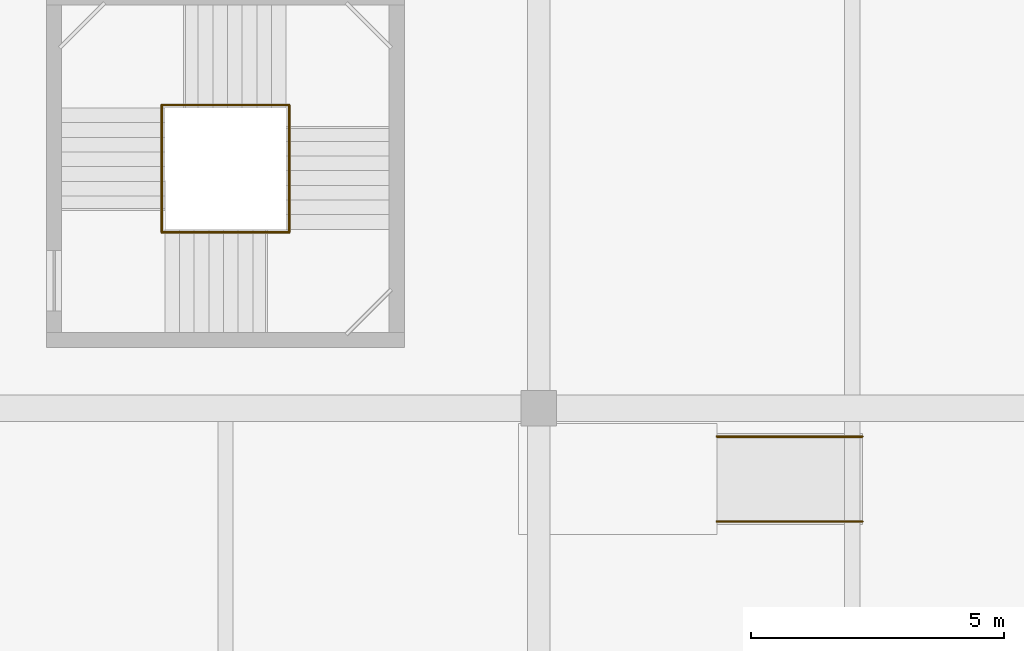
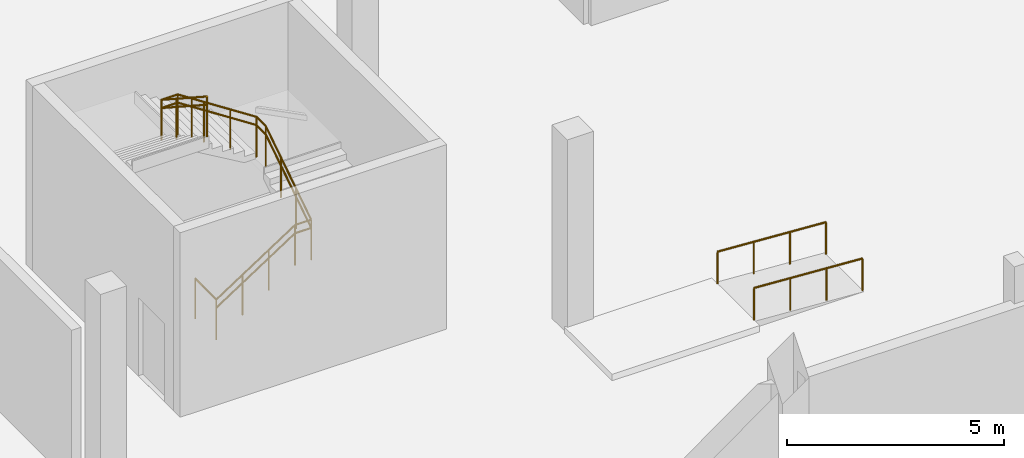
# One storey, part 49 of 50: 5 railings.
"""IFC4 building model written with IfcOpenShell, lengths in metres."""

from ifc_helpers import new_model, si_unit, direction, frame, origin, origin_2d, place, context, subcontext, project, spatial, circle, extrude, material, type_object, element, save


model = new_model("IFC4")

# Units and contexts
model_context = context("Model", 3, precision=1e-05, world=origin(), true_north=direction((0.0, 1.0)))
body_context = subcontext(model_context, "Body", "Model", "MODEL_VIEW")
ifc_project = project(units=[si_unit("LENGTHUNIT", "METRE"), si_unit("AREAUNIT", "SQUARE_METRE"), si_unit("VOLUMEUNIT", "CUBIC_METRE"), si_unit("PLANEANGLEUNIT", "RADIAN"), si_unit("MASSUNIT", "GRAM", prefix="KILO")], contexts=[model_context])

# Site, building, storey
site_placement = place(None, origin())
site = spatial("IfcSite", under=ifc_project, at=site_placement, CompositionType="ELEMENT")
building_placement = place(site_placement, origin())
building = spatial("IfcBuilding", under=site, at=building_placement, Name="Sillaruma Civic Art Gallery", CompositionType="ELEMENT")
storey_placement = place(building_placement, origin())
storey = spatial("IfcBuildingStorey", under=building, at=storey_placement, Name="L00", CompositionType="ELEMENT", Elevation=0.0)

# Railings
ifc_material = material(Name="Stainless Steel AISI 316", Category="steel")
railing_type_1 = type_object("IfcRailingType", Name="RAL-BAL-1150", PredefinedType="BALUSTRADE", material=ifc_material)
railing_1_placement = place(storey_placement, frame((144.139892578125, 13.3798828125, 0.0)))
element("IfcRailing", 1, at=railing_1_placement, inside=storey, type_object=railing_type_1, Name="Stair Floor Edge Guard (ST-05:L00)", PredefinedType="BALUSTRADE", context=body_context, shape_type="SweptSolid", body=[
    extrude(circle(Radius=0.02392578125, at=origin_2d()), frame((0.0, 0.0, 1.1259765625), z_axis=(0.0, 1.0, 0.0), x_axis=(-1.0, 0.0, 0.0)), (0.0, 0.0, 1.0), 0.97021484375),
    extrude(circle(Radius=0.02099609375, at=origin_2d()), origin(), (0.0, 0.0, 1.0), 1.101806640625),
    extrude(circle(Radius=0.02099609375, at=origin_2d()), frame((0.0, 0.97021484375, 0.0)), (0.0, 0.0, 1.0), 1.101806640625),
])
railing_2_placement = place(storey_placement, frame((144.139892578125, 13.3798828125, 0.0)))
element("IfcRailing", 2, at=railing_2_placement, inside=storey, type_object=railing_type_1, Name="Stair Well Balustrade (ST-05-L00)", PredefinedType="BALUSTRADE", context=body_context, shape_type="SweptSolid", body=[
    extrude(circle(Radius=0.02392578125, at=origin_2d()), frame((0.0, 0.0, 1.1259765625), z_axis=(0.838159424827, 0.0, 0.545425318971), x_axis=(0.0, 1.0, 0.0)), (0.0, 0.0, 1.0), 2.49365234375),
    extrude(circle(Radius=0.02392578125, at=origin_2d()), frame((2.090087890625, 0.0, 2.48583984375), z_axis=(1.0, 0.0, 0.0), x_axis=(0.0, 1.0, 0.0)), (0.0, 0.0, 1.0), 0.429931640625),
    extrude(circle(Radius=0.02392578125, at=origin_2d()), frame((2.52001953125, 0.0, 2.48583984375), z_axis=(0.0, 0.838204181713, 0.545356534534), x_axis=(-1.0, 0.0, 0.0)), (0.0, 0.0, 1.0), 2.49365234375),
    extrude(circle(Radius=0.02392578125, at=origin_2d()), frame((2.52001953125, 2.090087890625, 3.845703125), z_axis=(0.0, 1.0, 0.0), x_axis=(-1.0, 0.0, 0.0)), (0.0, 0.0, 1.0), 0.429931640625),
    extrude(circle(Radius=0.02392578125, at=origin_2d()), frame((2.52001953125, 2.52001953125, 3.845703125), z_axis=(-0.838130295786, 0.0, 0.545470079185), x_axis=(0.0, -1.0, 0.0)), (0.0, 0.0, 1.0), 2.493408203125),
    extrude(circle(Radius=0.02392578125, at=origin_2d()), frame((0.43017578125, 2.52001953125, 5.2060546875), z_axis=(-1.0, 0.0, 0.0), x_axis=(0.0, -1.0, 0.0)), (0.0, 0.0, 1.0), 0.43017578125),
    extrude(circle(Radius=0.02392578125, at=origin_2d()), frame((0.0, 2.52001953125, 5.2060546875), z_axis=(0.0, -0.838175058464, 0.545401293883), x_axis=(1.0, 0.0, 0.0)), (0.0, 0.0, 1.0), 2.493408203125),
    extrude(circle(Radius=0.02099609375, at=origin_2d()), origin(), (0.0, 0.0, 1.0), 1.101806640625),
    extrude(circle(Radius=0.02099609375, at=origin_2d()), frame((0.69677734375, 0.0, 0.453369140625)), (0.0, 0.0, 1.0), 1.101806640625),
    extrude(circle(Radius=0.02099609375, at=origin_2d()), frame((1.393310546875, 0.0, 0.90673828125)), (0.0, 0.0, 1.0), 1.101806640625),
    extrude(circle(Radius=0.02099609375, at=origin_2d()), frame((2.090087890625, 0.0, 1.360107421875)), (0.0, 0.0, 1.0), 1.101806640625),
    extrude(circle(Radius=0.02099609375, at=origin_2d()), frame((2.52001953125, 0.0, 1.360107421875)), (0.0, 0.0, 1.0), 1.101806640625),
    extrude(circle(Radius=0.02099609375, at=origin_2d()), frame((2.52001953125, 0.69677734375, 1.8134765625)), (0.0, 0.0, 1.0), 1.101806640625),
    extrude(circle(Radius=0.02099609375, at=origin_2d()), frame((2.52001953125, 1.393310546875, 2.2666015625)), (0.0, 0.0, 1.0), 1.101806640625),
    extrude(circle(Radius=0.02099609375, at=origin_2d()), frame((2.52001953125, 2.090087890625, 2.719970703125)), (0.0, 0.0, 1.0), 1.101806640625),
    extrude(circle(Radius=0.02099609375, at=origin_2d()), frame((2.52001953125, 2.52001953125, 2.719970703125)), (0.0, 0.0, 1.0), 1.101806640625),
    extrude(circle(Radius=0.02099609375, at=origin_2d()), frame((1.823486328125, 2.52001953125, 3.17333984375)), (0.0, 0.0, 1.0), 1.101806640625),
    extrude(circle(Radius=0.02099609375, at=origin_2d()), frame((1.126708984375, 2.52001953125, 3.626708984375)), (0.0, 0.0, 1.0), 1.101806640625),
    extrude(circle(Radius=0.02099609375, at=origin_2d()), frame((0.43017578125, 2.52001953125, 4.080078125)), (0.0, 0.0, 1.0), 1.101806640625),
    extrude(circle(Radius=0.02099609375, at=origin_2d()), frame((0.0, 2.52001953125, 4.080078125)), (0.0, 0.0, 1.0), 1.101806640625),
    extrude(circle(Radius=0.02099609375, at=origin_2d()), frame((0.0, 1.823486328125, 4.533447265625)), (0.0, 0.0, 1.0), 1.101806640625),
    extrude(circle(Radius=0.02099609375, at=origin_2d()), frame((0.0, 1.126708984375, 4.986572265625)), (0.0, 0.0, 1.0), 1.101806640625),
    extrude(circle(Radius=0.02099609375, at=origin_2d()), frame((0.0, 0.43017578125, 5.43994140625)), (0.0, 0.0, 1.0), 1.101806640625),
])
railing_type_2 = type_object("IfcRailingType", Name="RAL-HND-920", PredefinedType="HANDRAIL", material=ifc_material)
for number, where, name in (
    (3, (158.0, 9.340087890625, 0.0), "East Foyer Accessible Gallery Ramp RMP-E1 Handrail 1"),
    (4, (158.0, 7.659912109375, 0.0), "East Foyer Accessible Gallery Ramp RMP-E1 Handrail 2"),
):
    element("IfcRailing", number, at=place(storey_placement, frame(where)), inside=storey, type_object=railing_type_2, Name=name, PredefinedType="HANDRAIL", context=body_context, shape_type="SweptSolid", body=[
        extrude(circle(Radius=0.02392578125, at=origin_2d()), frame((0.0, 0.0, 0.89599609375), z_axis=(-0.99805389514, 0.0, 0.062357216066), x_axis=(0.0, -1.0, 0.0)), (0.0, 0.0, 1.0), 2.885498046875),
        extrude(circle(Radius=0.02099609375, at=origin_2d()), origin(), (0.0, 0.0, 1.0), 0.871826171875),
        extrude(circle(Radius=0.02099609375, at=origin_2d()), frame((-0.9599609375, 0.0, 0.06005859375)), (0.0, 0.0, 1.0), 0.871826171875),
        extrude(circle(Radius=0.02099609375, at=origin_2d()), frame((-1.919921875, 0.0, 0.119873046875)), (0.0, 0.0, 1.0), 0.871826171875),
        extrude(circle(Radius=0.02099609375, at=origin_2d()), frame((-2.8798828125, 0.0, 0.179931640625)), (0.0, 0.0, 1.0), 0.871826171875),
    ])
railing_3_placement = place(storey_placement, frame((144.139892578125, 13.3798828125, 0.0)))
element("IfcRailing", 5, at=railing_3_placement, inside=storey, type_object=railing_type_2, Name="Stair Continuous Handrail (ST-05-L00)", PredefinedType="HANDRAIL", context=body_context, shape_type="SweptSolid", body=[
    extrude(circle(Radius=0.02392578125, at=origin_2d()), frame((0.0, 0.0, 0.89599609375), z_axis=(0.838159424827, 0.0, 0.545425318971), x_axis=(0.0, 1.0, 0.0)), (0.0, 0.0, 1.0), 2.49365234375),
    extrude(circle(Radius=0.02392578125, at=origin_2d()), frame((2.090087890625, 0.0, 2.255859375), z_axis=(1.0, 0.0, 0.0), x_axis=(0.0, 1.0, 0.0)), (0.0, 0.0, 1.0), 0.429931640625),
    extrude(circle(Radius=0.02392578125, at=origin_2d()), frame((2.52001953125, 0.0, 2.255859375), z_axis=(0.0, 0.838204181713, 0.545356534534), x_axis=(-1.0, 0.0, 0.0)), (0.0, 0.0, 1.0), 2.49365234375),
    extrude(circle(Radius=0.02392578125, at=origin_2d()), frame((2.52001953125, 2.090087890625, 3.61572265625), z_axis=(0.0, 1.0, 0.0), x_axis=(-1.0, 0.0, 0.0)), (0.0, 0.0, 1.0), 0.429931640625),
    extrude(circle(Radius=0.02392578125, at=origin_2d()), frame((2.52001953125, 2.52001953125, 3.61572265625), z_axis=(-0.838130295786, 0.0, 0.545470079185), x_axis=(0.0, -1.0, 0.0)), (0.0, 0.0, 1.0), 2.493408203125),
    extrude(circle(Radius=0.02392578125, at=origin_2d()), frame((0.43017578125, 2.52001953125, 4.97607421875), z_axis=(-1.0, 0.0, 0.0), x_axis=(0.0, -1.0, 0.0)), (0.0, 0.0, 1.0), 0.43017578125),
    extrude(circle(Radius=0.02392578125, at=origin_2d()), frame((0.0, 2.52001953125, 4.97607421875), z_axis=(0.0, -0.838175058464, 0.545401293883), x_axis=(1.0, 0.0, 0.0)), (0.0, 0.0, 1.0), 2.493408203125),
    extrude(circle(Radius=0.02099609375, at=origin_2d()), origin(), (0.0, 0.0, 1.0), 0.871826171875),
    extrude(circle(Radius=0.02099609375, at=origin_2d()), frame((0.69677734375, 0.0, 0.453369140625)), (0.0, 0.0, 1.0), 0.871826171875),
    extrude(circle(Radius=0.02099609375, at=origin_2d()), frame((1.393310546875, 0.0, 0.90673828125)), (0.0, 0.0, 1.0), 0.871826171875),
    extrude(circle(Radius=0.02099609375, at=origin_2d()), frame((2.090087890625, 0.0, 1.360107421875)), (0.0, 0.0, 1.0), 0.871826171875),
    extrude(circle(Radius=0.02099609375, at=origin_2d()), frame((2.52001953125, 0.0, 1.360107421875)), (0.0, 0.0, 1.0), 0.871826171875),
    extrude(circle(Radius=0.02099609375, at=origin_2d()), frame((2.52001953125, 0.69677734375, 1.8134765625)), (0.0, 0.0, 1.0), 0.871826171875),
    extrude(circle(Radius=0.02099609375, at=origin_2d()), frame((2.52001953125, 1.393310546875, 2.2666015625)), (0.0, 0.0, 1.0), 0.871826171875),
    extrude(circle(Radius=0.02099609375, at=origin_2d()), frame((2.52001953125, 2.090087890625, 2.719970703125)), (0.0, 0.0, 1.0), 0.871826171875),
    extrude(circle(Radius=0.02099609375, at=origin_2d()), frame((2.52001953125, 2.52001953125, 2.719970703125)), (0.0, 0.0, 1.0), 0.871826171875),
    extrude(circle(Radius=0.02099609375, at=origin_2d()), frame((1.823486328125, 2.52001953125, 3.17333984375)), (0.0, 0.0, 1.0), 0.871826171875),
    extrude(circle(Radius=0.02099609375, at=origin_2d()), frame((1.126708984375, 2.52001953125, 3.626708984375)), (0.0, 0.0, 1.0), 0.871826171875),
    extrude(circle(Radius=0.02099609375, at=origin_2d()), frame((0.43017578125, 2.52001953125, 4.080078125)), (0.0, 0.0, 1.0), 0.871826171875),
    extrude(circle(Radius=0.02099609375, at=origin_2d()), frame((0.0, 2.52001953125, 4.080078125)), (0.0, 0.0, 1.0), 0.871826171875),
    extrude(circle(Radius=0.02099609375, at=origin_2d()), frame((0.0, 1.823486328125, 4.533447265625)), (0.0, 0.0, 1.0), 0.871826171875),
    extrude(circle(Radius=0.02099609375, at=origin_2d()), frame((0.0, 1.126708984375, 4.986572265625)), (0.0, 0.0, 1.0), 0.871826171875),
    extrude(circle(Radius=0.02099609375, at=origin_2d()), frame((0.0, 0.43017578125, 5.43994140625)), (0.0, 0.0, 1.0), 0.871826171875),
])

save(model, "model.ifc")
